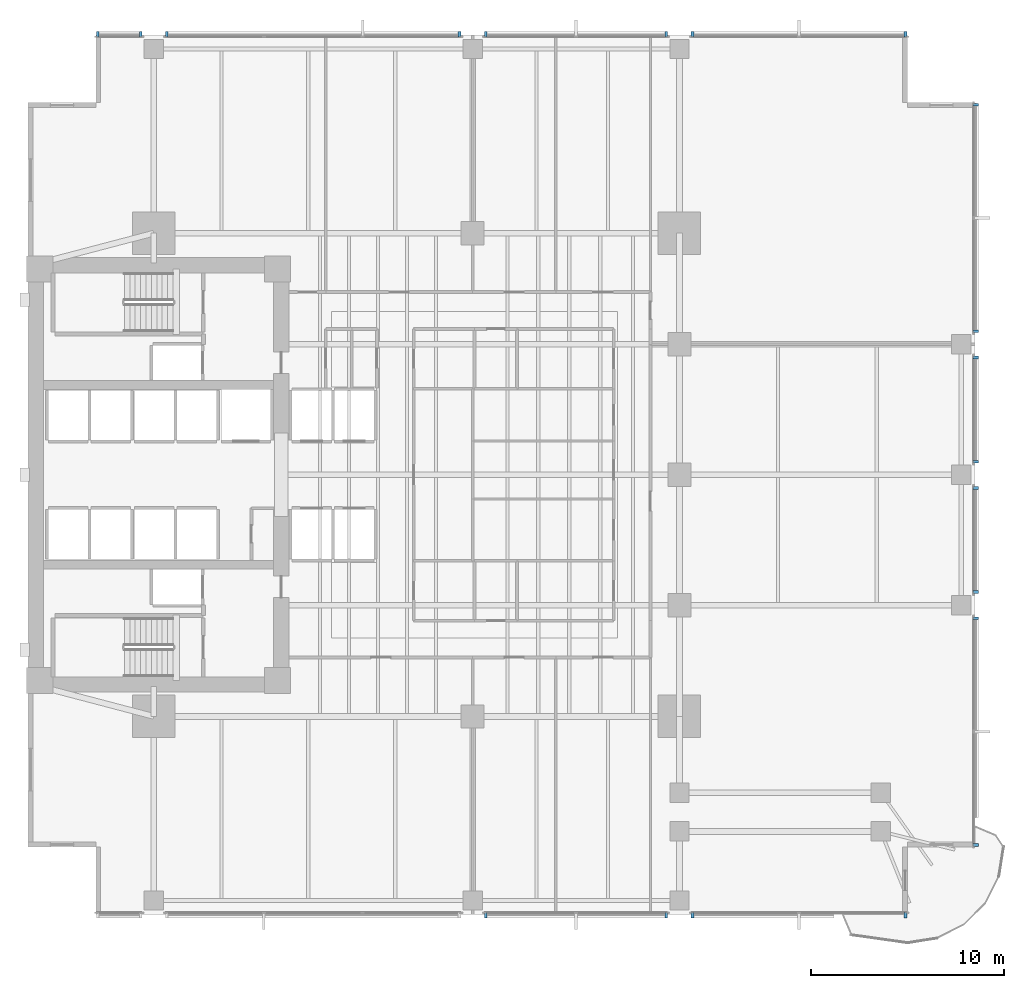
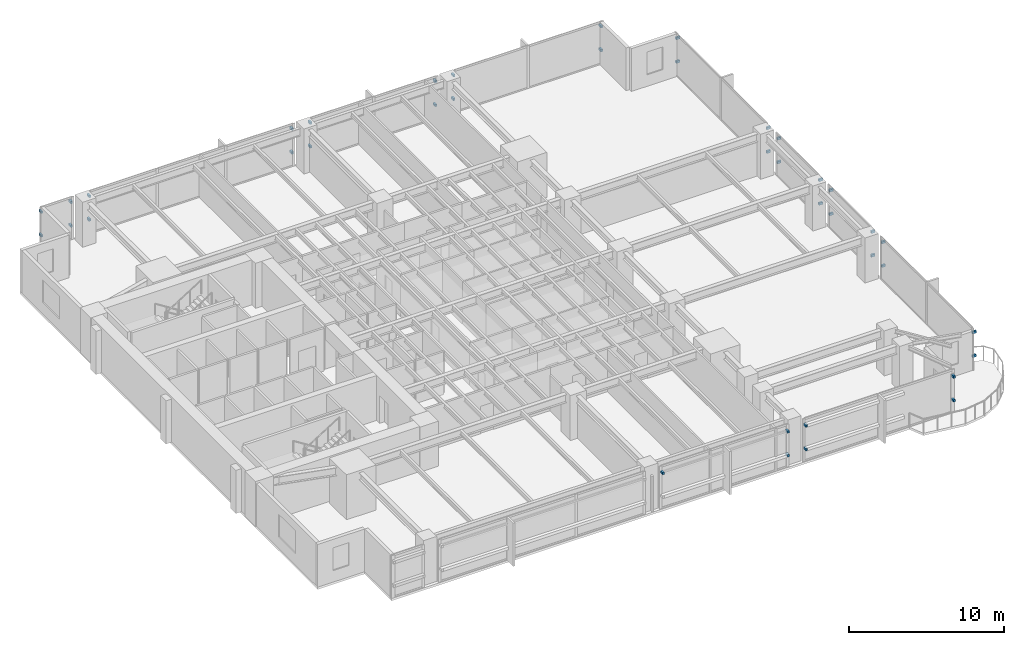
# One storey, part 11 of 15: 39 discrete accessories.
"""IFC4 building model written with IfcOpenShell, lengths in metres."""

from ifc_helpers import new_model, si_unit, direction, frame, origin, origin_2d, place, context, subcontext, project, spatial, rectangle, extrude, material, type_object, element, save


model = new_model("IFC4")

# Units and contexts
model_context = context("Model", 3, precision=1e-05, world=origin(), true_north=direction((0.0, 1.0)))
body_context = subcontext(model_context, "Body", "Model", "MODEL_VIEW")
ifc_project = project(units=[si_unit("LENGTHUNIT", "METRE"), si_unit("AREAUNIT", "SQUARE_METRE"), si_unit("VOLUMEUNIT", "CUBIC_METRE"), si_unit("PLANEANGLEUNIT", "RADIAN"), si_unit("MASSUNIT", "GRAM", prefix="KILO")], contexts=[model_context])

# Site, building, storey
site_placement = place(None, origin())
site = spatial("IfcSite", under=ifc_project, at=site_placement, CompositionType="ELEMENT")
building_placement = place(site_placement, origin())
building = spatial("IfcBuilding", under=site, at=building_placement, Name="Kinhvarn Gate Tower", CompositionType="ELEMENT")
storey_placement = place(building_placement, frame((0.0, 0.0, 75.300048828125)))
storey = spatial("IfcBuildingStorey", under=building, at=storey_placement, Name="L19", CompositionType="ELEMENT", Elevation=75.300048828125)

# Discrete accessories
ifc_material = material(Name="Anodised aluminium AW-6063", Category="aluminium")
discrete_accessory_type = type_object("IfcDiscreteAccessoryType", Name="ACC-BRK-01", PredefinedType="BRACKET", material=ifc_material)
for number, where, z_axis, x_axis, name in (
    (1, (28.179931640625, 2.4599609375, 2.830078125), (0.0, 0.0, 1.0), (1.0, 0.0, 0.0), "Baguette Support Bracket BK-01 (L19)"),
    (2, (37.52001953125, 2.4599609375, 0.9599609375), (0.0, 0.0, 1.0), (1.0, 0.0, 0.0), "Baguette Support Bracket BK-01 (L19)"),
    (3, (37.52001953125, 2.4599609375, 2.830078125), (0.0, 0.0, 1.0), (1.0, 0.0, 0.0), "Baguette Support Bracket BK-01 (L19)"),
    (4, (38.8798828125, 2.4599609375, 0.9599609375), (0.0, 0.0, 1.0), (1.0, 0.0, 0.0), "Baguette Support Bracket BK-01 (L19)"),
    (5, (38.8798828125, 2.4599609375, 2.830078125), (0.0, 0.0, 1.0), (1.0, 0.0, 0.0), "Baguette Support Bracket BK-01 (L19)"),
    (6, (49.89990234375, 2.4599609375, 0.9599609375), (0.0, 0.0, 1.0), (1.0, 0.0, 0.0), "Baguette Support Bracket BK-01 (L19)"),
    (7, (49.89990234375, 2.4599609375, 2.830078125), (0.0, 0.0, 1.0), (1.0, 0.0, 0.0), "Baguette Support Bracket BK-01 (L19)"),
    (8, (49.89990234375, 48.0400390625, 0.9599609375), (0.0, 0.0, 1.0), (-1.0, 0.0, 0.0), "Baguette Support Bracket BK-01 (L19)"),
    (9, (49.89990234375, 48.0400390625, 2.830078125), (0.0, 0.0, 1.0), (-1.0, 0.0, 0.0), "Baguette Support Bracket BK-01 (L19)"),
    (10, (38.8798828125, 48.0400390625, 0.9599609375), (0.0, 0.0, 1.0), (-1.0, 0.0, 0.0), "Baguette Support Bracket BK-01 (L19)"),
    (11, (38.8798828125, 48.0400390625, 2.830078125), (0.0, 0.0, 1.0), (-1.0, 0.0, 0.0), "Baguette Support Bracket BK-01 (L19)"),
    (12, (37.52001953125, 48.0400390625, 0.9599609375), (0.0, 0.0, 1.0), (-1.0, 0.0, 0.0), "Baguette Support Bracket BK-01 (L19)"),
    (13, (37.52001953125, 48.0400390625, 2.830078125), (0.0, 0.0, 1.0), (-1.0, 0.0, 0.0), "Baguette Support Bracket BK-01 (L19)"),
    (14, (28.179931640625, 48.0400390625, 0.9599609375), (0.0, 0.0, 1.0), (-1.0, 0.0, 0.0), "Baguette Support Bracket BK-01 (L19)"),
    (15, (28.179931640625, 48.0400390625, 2.830078125), (0.0, 0.0, 1.0), (-1.0, 0.0, 0.0), "Baguette Support Bracket BK-01 (L19)"),
    (16, (26.820068359375, 48.0400390625, 0.9599609375), (0.0, 0.0, 1.0), (-1.0, 0.0, 0.0), "Baguette Support Bracket BK-01 (L19)"),
    (17, (26.820068359375, 48.0400390625, 2.830078125), (0.0, 0.0, 1.0), (-1.0, 0.0, 0.0), "Baguette Support Bracket BK-01 (L19)"),
    (18, (11.679931640625, 48.0400390625, 0.9599609375), (0.0, 0.0, 1.0), (-1.0, 0.0, 0.0), "Baguette Support Bracket BK-01 (L19)"),
    (19, (11.679931640625, 48.0400390625, 2.830078125), (0.0, 0.0, 1.0), (-1.0, 0.0, 0.0), "Baguette Support Bracket BK-01 (L19)"),
    (20, (10.320068359375, 48.0400390625, 0.9599609375), (0.0, 0.0, 1.0), (-1.0, 0.0, 0.0), "Baguette Support Bracket BK-01 (L19)"),
    (21, (10.320068359375, 48.0400390625, 2.830078125), (0.0, 0.0, 1.0), (-1.0, 0.0, 0.0), "Baguette Support Bracket BK-01 (L19)"),
    (22, (8.10009765625, 48.0400390625, 0.9599609375), (0.0, 0.0, 1.0), (-1.0, 0.0, 0.0), "Baguette Support Bracket BK-01 (L19)"),
    (23, (8.10009765625, 48.0400390625, 2.830078125), (0.0, 0.0, 1.0), (-1.0, 0.0, 0.0), "Baguette Support Bracket BK-01 (L19)"),
    (24, (53.5400390625, 6.10009765625, 0.9599609375), (0.0, 0.0, 1.0), (0.0, 1.0, 0.0), "Baguette Support Bracket BK-01 (L19)"),
    (25, (53.5400390625, 6.10009765625, 2.830078125), (0.0, 0.0, 1.0), (0.0, 1.0, 0.0), "Baguette Support Bracket BK-01 (L19)"),
    (26, (53.5400390625, 17.820068359375, 0.9599609375), (0.0, 0.0, 1.0), (0.0, 1.0, 0.0), "Baguette Support Bracket BK-01 (L19)"),
    (27, (53.5400390625, 17.820068359375, 2.830078125), (0.0, 0.0, 1.0), (0.0, 1.0, 0.0), "Baguette Support Bracket BK-01 (L19)"),
    (28, (53.5400390625, 19.179931640625, 0.9599609375), (0.0, 0.0, 1.0), (0.0, 1.0, 0.0), "Baguette Support Bracket BK-01 (L19)"),
    (29, (53.5400390625, 19.179931640625, 2.830078125), (0.0, 0.0, 1.0), (0.0, 1.0, 0.0), "Baguette Support Bracket BK-01 (L19)"),
    (30, (53.5400390625, 24.570068359375, 0.9599609375), (0.0, 0.0, 1.0), (0.0, 1.0, 0.0), "Baguette Support Bracket BK-01 (L19)"),
    (31, (53.5400390625, 24.570068359375, 2.830078125), (0.0, 0.0, 1.0), (0.0, 1.0, 0.0), "Baguette Support Bracket BK-01 (L19)"),
    (32, (53.5400390625, 25.929931640625, 0.9599609375), (0.0, 0.0, 1.0), (0.0, 1.0, 0.0), "Baguette Support Bracket BK-01 (L19)"),
    (33, (53.5400390625, 25.929931640625, 2.830078125), (0.0, 0.0, 1.0), (0.0, 1.0, 0.0), "Baguette Support Bracket BK-01 (L19)"),
    (34, (53.5400390625, 31.320068359375, 0.9599609375), (0.0, 0.0, 1.0), (0.0, 1.0, 0.0), "Baguette Support Bracket BK-01 (L19)"),
    (35, (53.5400390625, 31.320068359375, 2.830078125), (0.0, 0.0, 1.0), (0.0, 1.0, 0.0), "Baguette Support Bracket BK-01 (L19)"),
    (36, (53.5400390625, 32.679931640625, 0.9599609375), (0.0, 0.0, 1.0), (0.0, 1.0, 0.0), "Baguette Support Bracket BK-01 (L19)"),
    (37, (53.5400390625, 32.679931640625, 2.830078125), (0.0, 0.0, 1.0), (0.0, 1.0, 0.0), "Baguette Support Bracket BK-01 (L19)"),
    (38, (53.5400390625, 44.39990234375, 0.9599609375), (0.0, 0.0, 1.0), (0.0, 1.0, 0.0), "Baguette Support Bracket BK-01 (L19)"),
    (39, (53.5400390625, 44.39990234375, 2.830078125), (0.0, 0.0, 1.0), (0.0, 1.0, 0.0), "Baguette Support Bracket BK-01 (L19)"),
):
    element("IfcDiscreteAccessory", number, at=place(storey_placement, frame(where, z_axis=z_axis, x_axis=x_axis)), inside=storey, type_object=discrete_accessory_type, Name=name, PredefinedType="BRACKET", context=body_context, shape_type="SweptSolid", body=[
        extrude(rectangle(XDim=0.139892578125, YDim=0.280029296875, at=origin_2d()), origin(), (0.0, 0.0, 1.0), 0.179931640625),
    ])

save(model, "model.ifc")
